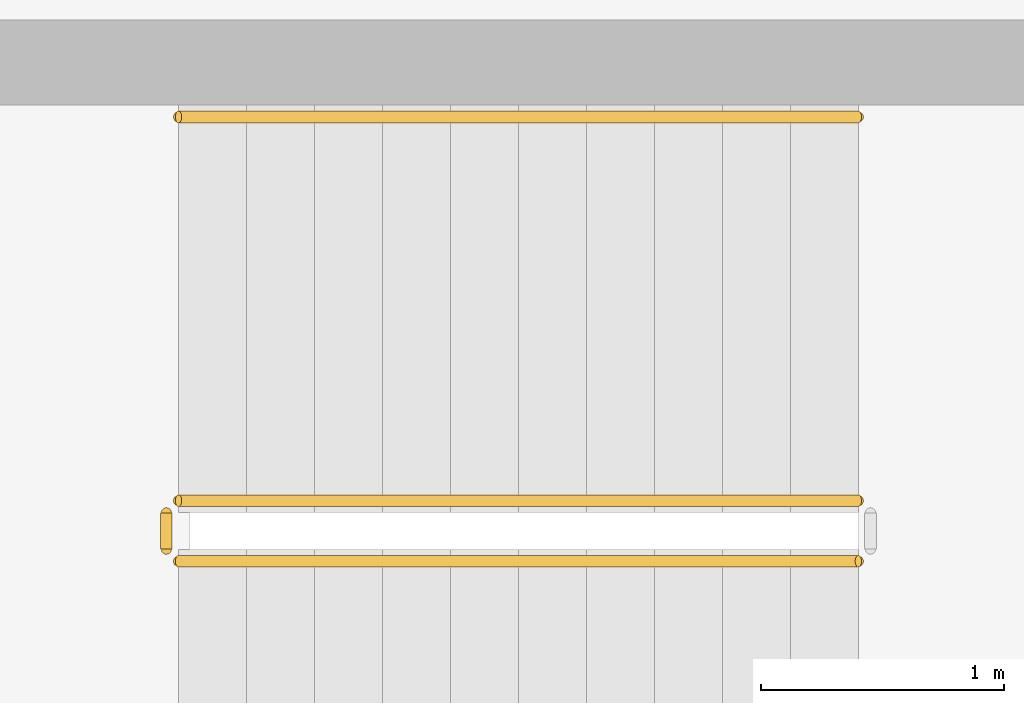
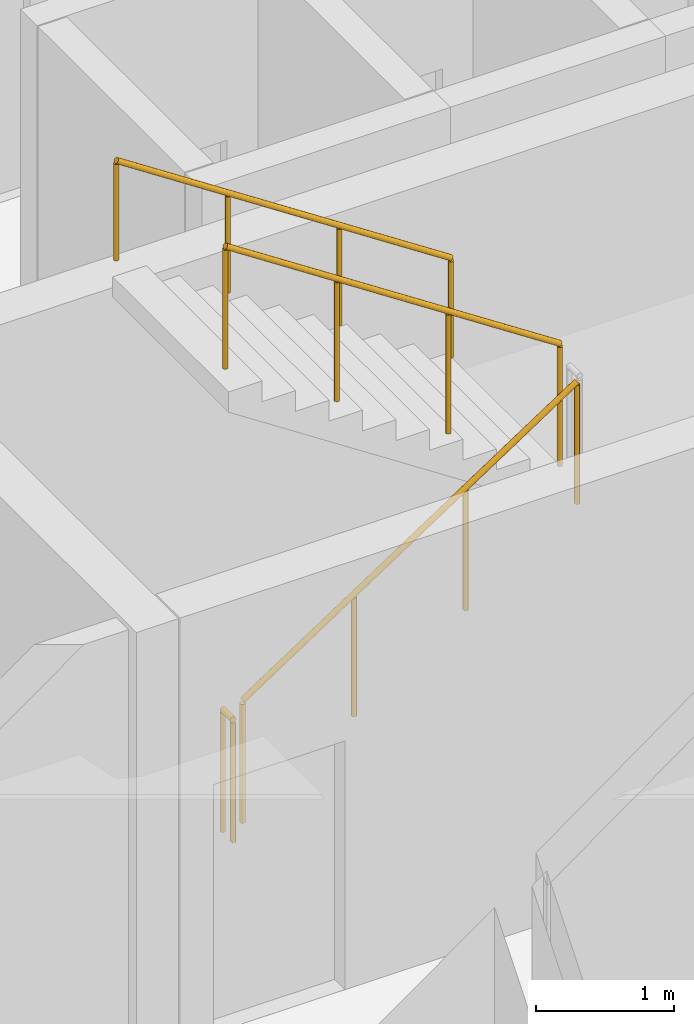
# One storey, part 40 of 45: 4 railings.
"""IFC4 building model written with IfcOpenShell, lengths in metres."""

from ifc_helpers import new_model, si_unit, direction, frame, origin, origin_2d, place, context, subcontext, project, spatial, circle, extrude, material, type_object, element, save


model = new_model("IFC4")

# Units and contexts
model_context = context("Model", 3, precision=1e-05, world=origin(), true_north=direction((0.0, 1.0)))
body_context = subcontext(model_context, "Body", "Model", "MODEL_VIEW")
ifc_project = project(units=[si_unit("LENGTHUNIT", "METRE"), si_unit("AREAUNIT", "SQUARE_METRE"), si_unit("VOLUMEUNIT", "CUBIC_METRE"), si_unit("PLANEANGLEUNIT", "RADIAN"), si_unit("MASSUNIT", "GRAM", prefix="KILO")], contexts=[model_context])

# Site, building, storey
site_placement = place(None, origin())
site = spatial("IfcSite", under=ifc_project, at=site_placement, CompositionType="ELEMENT")
building_placement = place(site_placement, origin())
building = spatial("IfcBuilding", under=site, at=building_placement, Name="Qorvath Tower", CompositionType="ELEMENT")
storey_placement = place(building_placement, frame((0.0, 0.0, 109.800048828125)))
storey = spatial("IfcBuildingStorey", under=building, at=storey_placement, Name="L24", CompositionType="ELEMENT", Elevation=109.800048828125)

# Railings
ifc_material_1 = material(Name="Painted galvanised steel", Category="steel")
railing_type_1 = type_object("IfcRailingType", Name="RL-STR-GRD", PredefinedType="GUARDRAIL", material=ifc_material_1)
railing_1_placement = place(storey_placement, frame((-22.669921875, -6.570068359375, 0.18408203125)))
element("IfcRailing", 1, at=railing_1_placement, inside=storey, type_object=railing_type_1, Name="L24 TS2 stair guard 1", PredefinedType="GUARDRAIL", context=body_context, shape_type="SweptSolid", body=[
    extrude(circle(Radius=0.02392578125, at=origin_2d()), frame((0.0, 0.0, 1.076171875), z_axis=(0.835575518608, 0.0, 0.549375602573), x_axis=(0.0, 1.0, 0.0)), (0.0, 0.0, 1.0), 3.350830078125),
    extrude(circle(Radius=0.02099609375, at=origin_2d()), origin(), (0.0, 0.0, 1.0), 1.052001953125),
    extrude(circle(Radius=0.02099609375, at=origin_2d()), frame((0.933349609375, 0.0, 0.613525390625)), (0.0, 0.0, 1.0), 1.052001953125),
    extrude(circle(Radius=0.02099609375, at=origin_2d()), frame((1.866455078125, 0.0, 1.227294921875)), (0.0, 0.0, 1.0), 1.052001953125),
    extrude(circle(Radius=0.02099609375, at=origin_2d()), frame((2.7998046875, 0.0, 1.8408203125)), (0.0, 0.0, 1.0), 1.052001953125),
])
railing_2_placement = place(storey_placement, frame((-19.8701171875, -6.320068359375, 2.208984375)))
element("IfcRailing", 2, at=railing_2_placement, inside=storey, type_object=railing_type_1, Name="L24 TS2 stair guard 3", PredefinedType="GUARDRAIL", context=body_context, shape_type="SweptSolid", body=[
    extrude(circle(Radius=0.02392578125, at=origin_2d()), frame((0.0, 0.0, 1.076171875), z_axis=(-0.835542071712, 0.0, 0.549426470421), x_axis=(0.0, -1.0, 0.0)), (0.0, 0.0, 1.0), 3.350830078125),
    extrude(circle(Radius=0.02099609375, at=origin_2d()), origin(), (0.0, 0.0, 1.0), 1.052001953125),
    extrude(circle(Radius=0.02099609375, at=origin_2d()), frame((-0.933349609375, 0.0, 0.61376953125)), (0.0, 0.0, 1.0), 1.052001953125),
    extrude(circle(Radius=0.02099609375, at=origin_2d()), frame((-1.866455078125, 0.0, 1.227294921875)), (0.0, 0.0, 1.0), 1.052001953125),
    extrude(circle(Radius=0.02099609375, at=origin_2d()), frame((-2.7998046875, 0.0, 1.841064453125)), (0.0, 0.0, 1.0), 1.052001953125),
])
railing_3_placement = place(storey_placement, frame((-22.719970703125, -6.52001953125, 0.0)))
element("IfcRailing", 3, at=railing_3_placement, inside=storey, type_object=railing_type_1, Name="L24 TS2 stair guard 4", PredefinedType="GUARDRAIL", context=body_context, shape_type="SweptSolid", body=[
    extrude(circle(Radius=0.02392578125, at=origin_2d()), frame((0.0, 0.0, 1.076171875), z_axis=(0.0, 1.0, 0.0), x_axis=(-1.0, 0.0, 0.0)), (0.0, 0.0, 1.0), 0.14990234375),
    extrude(circle(Radius=0.02099609375, at=origin_2d()), origin(), (0.0, 0.0, 1.0), 1.052001953125),
    extrude(circle(Radius=0.02099609375, at=origin_2d()), frame((0.0, 0.14990234375, 0.0)), (0.0, 0.0, 1.0), 1.052001953125),
])
ifc_material_2 = material(Name="Brushed stainless steel AISI 304", Category="steel")
railing_type_2 = type_object("IfcRailingType", Name="RL-STR-HND", PredefinedType="HANDRAIL", material=ifc_material_2)
railing_4_placement = place(storey_placement, frame((-19.8701171875, -4.739990234375, 2.208984375)))
element("IfcRailing", 4, at=railing_4_placement, inside=storey, type_object=railing_type_2, Name="L24 TS2 stair handrail 2", PredefinedType="HANDRAIL", context=body_context, shape_type="SweptSolid", body=[
    extrude(circle(Radius=0.02392578125, at=origin_2d()), frame((0.0, 0.0, 0.8759765625), z_axis=(-0.835542071712, 0.0, 0.549426470421), x_axis=(0.0, -1.0, 0.0)), (0.0, 0.0, 1.0), 3.350830078125),
    extrude(circle(Radius=0.02099609375, at=origin_2d()), origin(), (0.0, 0.0, 1.0), 0.851806640625),
    extrude(circle(Radius=0.02099609375, at=origin_2d()), frame((-0.933349609375, 0.0, 0.61376953125)), (0.0, 0.0, 1.0), 0.851806640625),
    extrude(circle(Radius=0.02099609375, at=origin_2d()), frame((-1.866455078125, 0.0, 1.227294921875)), (0.0, 0.0, 1.0), 0.851806640625),
    extrude(circle(Radius=0.02099609375, at=origin_2d()), frame((-2.7998046875, 0.0, 1.841064453125)), (0.0, 0.0, 1.0), 0.851806640625),
])

save(model, "model.ifc")
